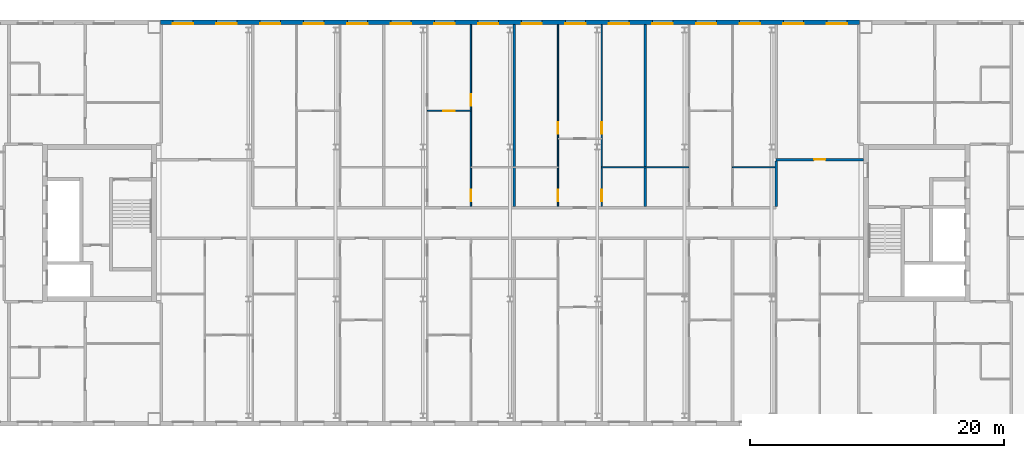
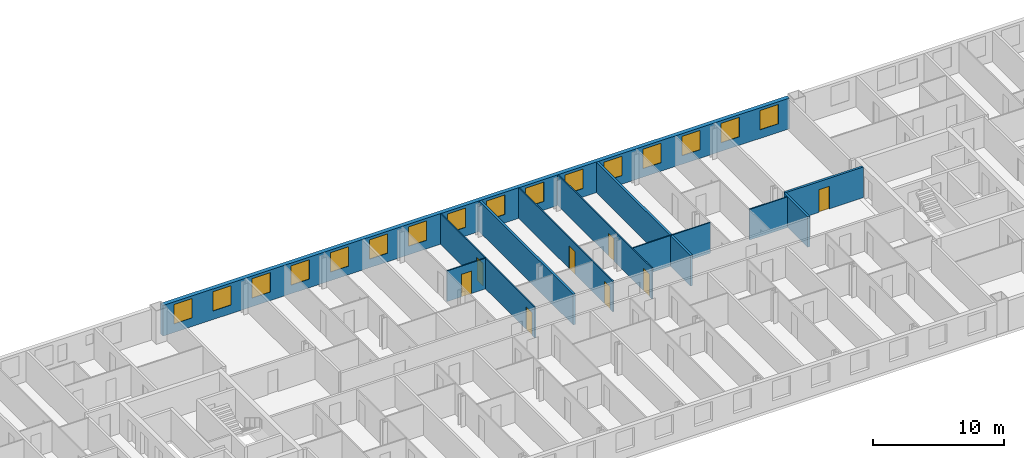
# One storey, part 12 of 19: 16 windows, 11 walls, 8 doors, 24 openings.
"""IFC4 building model written with IfcOpenShell, lengths in metres."""

import ifcopenshell
import ifcopenshell.guid

model = None  # the IFC model being written
_history = None  # IfcOwnerHistory: only IFC2X3 demands one
_inside = {}  # id of a spatial element -> (the spatial element, [elements in it])
_under = {}  # id of a project, library or spatial element -> (it, [spatial elements below it])
_declared = {}  # id of a project -> (the project, [libraries it declares])
_typed = {}  # id of a type object -> (the type object, [elements of that type])
_made_of = {}  # id of a material, layer set ... -> (it, [elements and type objects made of it])


def new_model(schema):
    """Start an empty IFC model of exactly this schema.

    Asked for "IFC4X3", IfcOpenShell would pick the latest addendum, in which some entities
    have other attributes; the version numbers below select the first issue.
    IFC2X3 requires an IfcOwnerHistory on every rooted entity: one is made here for all.
    """
    global model, _history
    if schema == "IFC4X3":
        model = ifcopenshell.file(schema_version=(4, 3, 0, 0))
    else:
        model = ifcopenshell.file(schema=schema)
    _inside.clear()
    _under.clear()
    _declared.clear()
    _typed.clear()
    _made_of.clear()
    _history = None
    if model.schema == "IFC2X3":
        org = make("IfcOrganization", Name="unknown")
        user = make(
            "IfcPersonAndOrganization",
            ThePerson=make("IfcPerson", FamilyName="unknown"),
            TheOrganization=org,
        )
        app = make(
            "IfcApplication",
            ApplicationDeveloper=org,
            Version="unknown",
            ApplicationFullName="unknown",
            ApplicationIdentifier="unknown",
        )
        _history = make(
            "IfcOwnerHistory",
            OwningUser=user,
            OwningApplication=app,
            ChangeAction="ADDED",
            CreationDate=0,
        )
    return model


def make(cls, **values):
    """One entity of the class cls with the attributes given. An attribute that is None is left unset."""
    return model.create_entity(
        cls, **{name: value for name, value in values.items() if value is not None}
    )


def rooted(cls, **values):
    """An entity with a GlobalId (a new one), such as an element, a storey or a relation."""
    return make(cls, GlobalId=ifcopenshell.guid.new(), OwnerHistory=_history, **values)


def si_unit(unit_type, name, prefix=None):
    """IfcSIUnit, for example si_unit("LENGTHUNIT", "METRE", prefix="MILLI")."""
    return make("IfcSIUnit", UnitType=unit_type, Prefix=prefix, Name=name)


def assignment(units):
    """IfcUnitAssignment: the units of a project."""
    return None if units is None else make("IfcUnitAssignment", Units=units)


def point(xyz):
    """IfcCartesianPoint."""
    return None if xyz is None else make("IfcCartesianPoint", Coordinates=xyz)


def direction(xyz):
    """IfcDirection."""
    return None if xyz is None else make("IfcDirection", DirectionRatios=xyz)


def frame(location, z_axis=None, x_axis=None):
    """IfcAxis2Placement3D, a coordinate frame: its origin and axes. An axis left out is left unset."""
    return make(
        "IfcAxis2Placement3D",
        Location=point(location),
        Axis=direction(z_axis),
        RefDirection=direction(x_axis),
    )


def frame_2d(location, x_axis=None):
    """IfcAxis2Placement2D, a coordinate frame in the plane: its origin and x axis."""
    return make(
        "IfcAxis2Placement2D", Location=point(location), RefDirection=direction(x_axis)
    )


def origin():
    """The frame at (0, 0, 0) with its axes left unset."""
    return frame((0.0, 0.0, 0.0))


def place(relative_to, where):
    """IfcLocalPlacement: puts the frame where relative to a parent placement (None: the world)."""
    return make(
        "IfcLocalPlacement", PlacementRelTo=relative_to, RelativePlacement=where
    )


def context(
    kind, dimensions, precision=None, world=None, true_north=None, identifier=None
):
    """IfcGeometricRepresentationContext, for example the 3D "Model" context."""
    return make(
        "IfcGeometricRepresentationContext",
        ContextIdentifier=identifier,
        ContextType=kind,
        CoordinateSpaceDimension=dimensions,
        Precision=precision,
        WorldCoordinateSystem=world,
        TrueNorth=true_north,
    )


def subcontext(parent, identifier, kind, view, scale=None):
    """IfcGeometricRepresentationSubContext, for example "Body" below "Model"."""
    return make(
        "IfcGeometricRepresentationSubContext",
        ContextIdentifier=identifier,
        ContextType=kind,
        ParentContext=parent,
        TargetScale=scale,
        TargetView=view,
    )


def project(units=None, contexts=None):
    """IfcProject with its units and contexts."""
    return rooted(
        "IfcProject",
        Name="project",
        RepresentationContexts=contexts,
        UnitsInContext=assignment(units),
    )


def spatial(cls, under=None, at=None, **own):
    """A site, building, storey or space (cls), placed at a placement, below another one or the project."""
    s = rooted(cls, ObjectPlacement=at, **own)
    if under is not None:
        _under.setdefault(under.id(), (under, []))[1].append(s)
    return s


def profile(cls, at=None, kind="AREA", **sizes):
    """A parametric profile (cls). Its sizes go by their IFC names, for example OverallWidth=200.0."""
    return make(cls, ProfileType=kind, Position=at, **sizes)


def rectangle(**sizes):
    """IfcRectangleProfileDef."""
    return profile("IfcRectangleProfileDef", **sizes)


def extrude(swept, where, along, depth):
    """IfcExtrudedAreaSolid: the profile swept, set in the frame where, extruded along a direction by depth."""
    return make(
        "IfcExtrudedAreaSolid",
        SweptArea=swept,
        Position=where,
        ExtrudedDirection=direction(along),
        Depth=depth,
    )


def shape(context_of_items, identifier, shape_type, items):
    """IfcShapeRepresentation: the items that make up one representation, for example the "Body"."""
    return make(
        "IfcShapeRepresentation",
        ContextOfItems=context_of_items,
        RepresentationIdentifier=identifier,
        RepresentationType=shape_type,
        Items=items,
    )


def material(Name=None, Category=None):
    """IfcMaterial."""
    return make("IfcMaterial", Name=Name, Category=Category)


def layer(
    of_material, thickness, ventilated=None, Name=None, Category=None, Priority=None
):
    """IfcMaterialLayer: one layer of a wall or slab, of a material (None: an air gap)."""
    return make(
        "IfcMaterialLayer",
        Material=of_material,
        LayerThickness=thickness,
        IsVentilated=ventilated,
        Name=Name,
        Category=Category,
        Priority=Priority,
    )


def layer_set(layers, Name=None):
    """IfcMaterialLayerSet."""
    return make("IfcMaterialLayerSet", MaterialLayers=layers, LayerSetName=Name)


def made_of(thing, what):
    """Note that an element or type object is made of a material, layer set ...; save() writes the relation."""
    if what is not None:
        _made_of.setdefault(what.id(), (what, []))[1].append(thing)
    return thing


def type_object(cls, material=None, **own):
    """A type object (cls), such as IfcWallType, which elements share."""
    return made_of(rooted(cls, **own), material)


def element(
    cls,
    number,
    at=None,
    inside=None,
    cuts=None,
    type_object=None,
    material=None,
    context=None,
    identifier="Body",
    shape_type=None,
    held_by="IfcProductDefinitionShape",
    body=None,
    shapes=None,
    **own,
):
    """One element of the class cls, such as IfcWall. Its Tag is "e" and its number.

    at: its placement. inside: the storey or other place that contains it. cuts: it is an
    opening in that element (IfcRelVoidsElement). A single representation is given by context,
    identifier, shape_type and body (its items); several are given by shapes. held_by: the class
    of the entity that holds the representations. save() writes the other relations.
    """
    e = rooted(cls, Tag="e%d" % number, ObjectPlacement=at, **own)
    if body is not None:
        shapes = [shape(context, identifier, shape_type, body)]
    if shapes is not None:
        e.Representation = make(held_by, Representations=shapes)
    if inside is not None:
        _inside.setdefault(inside.id(), (inside, []))[1].append(e)
    if cuts is not None:
        rooted(
            "IfcRelVoidsElement", RelatingBuildingElement=cuts, RelatedOpeningElement=e
        )
    if type_object is not None:
        _typed.setdefault(type_object.id(), (type_object, []))[1].append(e)
    return made_of(e, material)


def fill(opening, filler):
    """IfcRelFillsElement: the door or window that sits in an opening."""
    return rooted(
        "IfcRelFillsElement",
        RelatingOpeningElement=opening,
        RelatedBuildingElement=filler,
    )


def aggregate(whole, parts):
    """IfcRelAggregates: a whole, such as a stair, and the parts it consists of."""
    return rooted("IfcRelAggregates", RelatingObject=whole, RelatedObjects=parts)


def save(model, path):
    """Write the relations noted so far, then the file.

    IfcRelAggregates (storeys below a building ...), IfcRelContainedInSpatialStructure (elements
    in a storey), IfcRelDefinesByType, IfcRelAssociatesMaterial and IfcRelDeclares: one each for
    every whole, place, type object, material and project.
    """
    for whole, parts in _under.values():
        aggregate(whole, parts)
    for where, things in _inside.values():
        rooted(
            "IfcRelContainedInSpatialStructure",
            RelatedElements=things,
            RelatingStructure=where,
        )
    for kind, things in _typed.values():
        rooted("IfcRelDefinesByType", RelatedObjects=things, RelatingType=kind)
    for what, things in _made_of.values():
        rooted("IfcRelAssociatesMaterial", RelatedObjects=things, RelatingMaterial=what)
    for by, libraries in _declared.values():
        rooted("IfcRelDeclares", RelatingContext=by, RelatedDefinitions=libraries)
    model.write(path)


model = new_model("IFC4")

# Units and contexts
model_context = context("Model", 3, precision=1e-05, world=origin(), true_north=direction((0.0, 1.0)))
body_context = subcontext(model_context, "Body", "Model", "MODEL_VIEW")
ifc_project = project(units=[si_unit("LENGTHUNIT", "METRE"), si_unit("AREAUNIT", "SQUARE_METRE"), si_unit("VOLUMEUNIT", "CUBIC_METRE"), si_unit("PLANEANGLEUNIT", "RADIAN"), si_unit("MASSUNIT", "GRAM", prefix="KILO")], contexts=[model_context])

# Site, building, storey
site_placement = place(None, origin())
site = spatial("IfcSite", under=ifc_project, at=site_placement, CompositionType="ELEMENT")
building_placement = place(site_placement, origin())
building = spatial("IfcBuilding", under=site, at=building_placement, Name="Tuart Gate Housing", CompositionType="ELEMENT")
storey_placement = place(building_placement, frame((0.0, 0.0, 212.10009765625)))
storey = spatial("IfcBuildingStorey", under=building, at=storey_placement, Name="L60", CompositionType="ELEMENT", Elevation=212.10009765625)

# Wall, openings, windows
ifc_material_1 = material(Name="Brick", Category="masonry")
ifc_layer_1 = layer(ifc_material_1, 0.360107421875)
ifc_layer_set_1 = layer_set([ifc_layer_1], Name="Brick pier and spandrel wall 360")
wall_type_1 = type_object("IfcWallType", Name="Brick pier and spandrel wall 360", PredefinedType="STANDARD", material=ifc_layer_set_1)
wall_1_placement = place(storey_placement, frame((131.050048828125, 85.820068359375, 0.0), z_axis=(0.0, 0.0, 1.0), x_axis=(-1.0, 0.0, 0.0)))
wall_1 = element("IfcWall", 1, at=wall_1_placement, inside=storey, type_object=wall_type_1, Name="External wall BLK-N L60", PredefinedType="STANDARD", context=body_context, shape_type="SweptSolid", body=[
    extrude(rectangle(XDim=55.10009765625, YDim=0.360107421875, at=frame_2d((27.550048828125, 0.0))), origin(), (0.0, 0.0, 1.0), 2.849853515625),
])
opening_1_placement = place(wall_1_placement, frame((0.96875, 0.0, 0.800048828125)))
opening_1 = element("IfcOpeningElement", 2, at=opening_1_placement, cuts=wall_1, Name="Opening W1", PredefinedType="OPENING", context=body_context, shape_type="SweptSolid", body=[
    extrude(rectangle(XDim=1.60009765625, YDim=1.800048828125, at=frame_2d((0.800048828125, 0.89990234375))), frame((0.0, 0.18994140625, 0.0), z_axis=(0.0, -1.0, 0.0), x_axis=(1.0, 0.0, 0.0)), (0.0, 0.0, 1.0), 0.380126953125),
])
opening_2_placement = place(wall_1_placement, frame((4.40625, 0.0, 0.800048828125)))
opening_2 = element("IfcOpeningElement", 3, at=opening_2_placement, cuts=wall_1, Name="Opening W1", PredefinedType="OPENING", context=body_context, shape_type="SweptSolid", body=[
    extrude(rectangle(XDim=1.60009765625, YDim=1.800048828125, at=frame_2d((0.800048828125, 0.89990234375))), frame((0.0, 0.18994140625, 0.0), z_axis=(0.0, -1.0, 0.0), x_axis=(1.0, 0.0, 0.0)), (0.0, 0.0, 1.0), 0.380126953125),
])
opening_3_placement = place(wall_1_placement, frame((7.84375, 0.0, 0.800048828125)))
opening_3 = element("IfcOpeningElement", 4, at=opening_3_placement, cuts=wall_1, Name="Opening W1", PredefinedType="OPENING", context=body_context, shape_type="SweptSolid", body=[
    extrude(rectangle(XDim=1.60009765625, YDim=1.800048828125, at=frame_2d((0.800048828125, 0.89990234375))), frame((0.0, 0.18994140625, 0.0), z_axis=(0.0, -1.0, 0.0), x_axis=(1.0, 0.0, 0.0)), (0.0, 0.0, 1.0), 0.380126953125),
])
opening_4_placement = place(wall_1_placement, frame((11.28125, 0.0, 0.800048828125)))
opening_4 = element("IfcOpeningElement", 5, at=opening_4_placement, cuts=wall_1, Name="Opening W1", PredefinedType="OPENING", context=body_context, shape_type="SweptSolid", body=[
    extrude(rectangle(XDim=1.60009765625, YDim=1.800048828125, at=frame_2d((0.800048828125, 0.89990234375))), frame((0.0, 0.18994140625, 0.0), z_axis=(0.0, -1.0, 0.0), x_axis=(1.0, 0.0, 0.0)), (0.0, 0.0, 1.0), 0.380126953125),
])
opening_5_placement = place(wall_1_placement, frame((14.71875, 0.0, 0.800048828125)))
opening_5 = element("IfcOpeningElement", 6, at=opening_5_placement, cuts=wall_1, Name="Opening W1", PredefinedType="OPENING", context=body_context, shape_type="SweptSolid", body=[
    extrude(rectangle(XDim=1.60009765625, YDim=1.800048828125, at=frame_2d((0.800048828125, 0.89990234375))), frame((0.0, 0.18994140625, 0.0), z_axis=(0.0, -1.0, 0.0), x_axis=(1.0, 0.0, 0.0)), (0.0, 0.0, 1.0), 0.380126953125),
])
opening_6_placement = place(wall_1_placement, frame((18.15625, 0.0, 0.800048828125)))
opening_6 = element("IfcOpeningElement", 7, at=opening_6_placement, cuts=wall_1, Name="Opening W1", PredefinedType="OPENING", context=body_context, shape_type="SweptSolid", body=[
    extrude(rectangle(XDim=1.60009765625, YDim=1.800048828125, at=frame_2d((0.800048828125, 0.89990234375))), frame((0.0, 0.18994140625, 0.0), z_axis=(0.0, -1.0, 0.0), x_axis=(1.0, 0.0, 0.0)), (0.0, 0.0, 1.0), 0.380126953125),
])
opening_7_placement = place(wall_1_placement, frame((21.59375, 0.0, 0.800048828125)))
opening_7 = element("IfcOpeningElement", 8, at=opening_7_placement, cuts=wall_1, Name="Opening W1", PredefinedType="OPENING", context=body_context, shape_type="SweptSolid", body=[
    extrude(rectangle(XDim=1.60009765625, YDim=1.800048828125, at=frame_2d((0.800048828125, 0.89990234375))), frame((0.0, 0.18994140625, 0.0), z_axis=(0.0, -1.0, 0.0), x_axis=(1.0, 0.0, 0.0)), (0.0, 0.0, 1.0), 0.380126953125),
])
opening_8_placement = place(wall_1_placement, frame((25.03125, 0.0, 0.800048828125)))
opening_8 = element("IfcOpeningElement", 9, at=opening_8_placement, cuts=wall_1, Name="Opening W1", PredefinedType="OPENING", context=body_context, shape_type="SweptSolid", body=[
    extrude(rectangle(XDim=1.60009765625, YDim=1.800048828125, at=frame_2d((0.800048828125, 0.89990234375))), frame((0.0, 0.18994140625, 0.0), z_axis=(0.0, -1.0, 0.0), x_axis=(1.0, 0.0, 0.0)), (0.0, 0.0, 1.0), 0.380126953125),
])
opening_9_placement = place(wall_1_placement, frame((28.46875, 0.0, 0.800048828125)))
opening_9 = element("IfcOpeningElement", 10, at=opening_9_placement, cuts=wall_1, Name="Opening W1", PredefinedType="OPENING", context=body_context, shape_type="SweptSolid", body=[
    extrude(rectangle(XDim=1.60009765625, YDim=1.800048828125, at=frame_2d((0.800048828125, 0.89990234375))), frame((0.0, 0.18994140625, 0.0), z_axis=(0.0, -1.0, 0.0), x_axis=(1.0, 0.0, 0.0)), (0.0, 0.0, 1.0), 0.380126953125),
])
opening_10_placement = place(wall_1_placement, frame((31.90625, 0.0, 0.800048828125)))
opening_10 = element("IfcOpeningElement", 11, at=opening_10_placement, cuts=wall_1, Name="Opening W1", PredefinedType="OPENING", context=body_context, shape_type="SweptSolid", body=[
    extrude(rectangle(XDim=1.60009765625, YDim=1.800048828125, at=frame_2d((0.800048828125, 0.89990234375))), frame((0.0, 0.18994140625, 0.0), z_axis=(0.0, -1.0, 0.0), x_axis=(1.0, 0.0, 0.0)), (0.0, 0.0, 1.0), 0.380126953125),
])
opening_11_placement = place(wall_1_placement, frame((35.34375, 0.0, 0.800048828125)))
opening_11 = element("IfcOpeningElement", 12, at=opening_11_placement, cuts=wall_1, Name="Opening W1", PredefinedType="OPENING", context=body_context, shape_type="SweptSolid", body=[
    extrude(rectangle(XDim=1.60009765625, YDim=1.800048828125, at=frame_2d((0.800048828125, 0.89990234375))), frame((0.0, 0.18994140625, 0.0), z_axis=(0.0, -1.0, 0.0), x_axis=(1.0, 0.0, 0.0)), (0.0, 0.0, 1.0), 0.380126953125),
])
opening_12_placement = place(wall_1_placement, frame((38.78125, 0.0, 0.800048828125)))
opening_12 = element("IfcOpeningElement", 13, at=opening_12_placement, cuts=wall_1, Name="Opening W1", PredefinedType="OPENING", context=body_context, shape_type="SweptSolid", body=[
    extrude(rectangle(XDim=1.60009765625, YDim=1.800048828125, at=frame_2d((0.800048828125, 0.89990234375))), frame((0.0, 0.18994140625, 0.0), z_axis=(0.0, -1.0, 0.0), x_axis=(1.0, 0.0, 0.0)), (0.0, 0.0, 1.0), 0.380126953125),
])
opening_13_placement = place(wall_1_placement, frame((42.21875, 0.0, 0.800048828125)))
opening_13 = element("IfcOpeningElement", 14, at=opening_13_placement, cuts=wall_1, Name="Opening W1", PredefinedType="OPENING", context=body_context, shape_type="SweptSolid", body=[
    extrude(rectangle(XDim=1.60009765625, YDim=1.800048828125, at=frame_2d((0.800048828125, 0.89990234375))), frame((0.0, 0.18994140625, 0.0), z_axis=(0.0, -1.0, 0.0), x_axis=(1.0, 0.0, 0.0)), (0.0, 0.0, 1.0), 0.380126953125),
])
opening_14_placement = place(wall_1_placement, frame((45.65625, 0.0, 0.800048828125)))
opening_14 = element("IfcOpeningElement", 15, at=opening_14_placement, cuts=wall_1, Name="Opening W1", PredefinedType="OPENING", context=body_context, shape_type="SweptSolid", body=[
    extrude(rectangle(XDim=1.60009765625, YDim=1.800048828125, at=frame_2d((0.800048828125, 0.89990234375))), frame((0.0, 0.18994140625, 0.0), z_axis=(0.0, -1.0, 0.0), x_axis=(1.0, 0.0, 0.0)), (0.0, 0.0, 1.0), 0.380126953125),
])
opening_15_placement = place(wall_1_placement, frame((49.09375, 0.0, 0.800048828125)))
opening_15 = element("IfcOpeningElement", 16, at=opening_15_placement, cuts=wall_1, Name="Opening W1", PredefinedType="OPENING", context=body_context, shape_type="SweptSolid", body=[
    extrude(rectangle(XDim=1.60009765625, YDim=1.800048828125, at=frame_2d((0.800048828125, 0.89990234375))), frame((0.0, 0.18994140625, 0.0), z_axis=(0.0, -1.0, 0.0), x_axis=(1.0, 0.0, 0.0)), (0.0, 0.0, 1.0), 0.380126953125),
])
opening_16_placement = place(wall_1_placement, frame((52.53125, 0.0, 0.800048828125)))
opening_16 = element("IfcOpeningElement", 17, at=opening_16_placement, cuts=wall_1, Name="Opening W1", PredefinedType="OPENING", context=body_context, shape_type="SweptSolid", body=[
    extrude(rectangle(XDim=1.60009765625, YDim=1.800048828125, at=frame_2d((0.800048828125, 0.89990234375))), frame((0.0, 0.18994140625, 0.0), z_axis=(0.0, -1.0, 0.0), x_axis=(1.0, 0.0, 0.0)), (0.0, 0.0, 1.0), 0.380126953125),
])
ifc_material_2 = material(Name="Aluminium frame with clear glass", Category="aluminium")
window_type = type_object("IfcWindowType", Name="Punched window 1600 x 1800", PartitioningType="SINGLE_PANEL", PredefinedType="WINDOW", material=ifc_material_2)
window_1_placement = place(opening_1_placement, origin())
window_1 = element("IfcWindow", 18, at=window_1_placement, inside=storey, type_object=window_type, Name="Window W1", OverallHeight=1.800048828125, OverallWidth=1.60009765625, PartitioningType="SINGLE_PANEL", PredefinedType="WINDOW", context=body_context, shape_type="SweptSolid", body=[
    extrude(rectangle(XDim=1.60009765625, YDim=1.800048828125, at=frame_2d((0.800048828125, 0.89990234375))), frame((0.0, 0.150146484375, 0.0), z_axis=(0.0, -1.0, 0.0), x_axis=(1.0, 0.0, 0.0)), (0.0, 0.0, 1.0), 0.06005859375),
])
fill(opening_1, window_1)
window_2_placement = place(opening_2_placement, origin())
window_2 = element("IfcWindow", 19, at=window_2_placement, inside=storey, type_object=window_type, Name="Window W1", OverallHeight=1.800048828125, OverallWidth=1.60009765625, PartitioningType="SINGLE_PANEL", PredefinedType="WINDOW", context=body_context, shape_type="SweptSolid", body=[
    extrude(rectangle(XDim=1.60009765625, YDim=1.800048828125, at=frame_2d((0.800048828125, 0.89990234375))), frame((0.0, 0.150146484375, 0.0), z_axis=(0.0, -1.0, 0.0), x_axis=(1.0, 0.0, 0.0)), (0.0, 0.0, 1.0), 0.06005859375),
])
fill(opening_2, window_2)
window_3_placement = place(opening_3_placement, origin())
window_3 = element("IfcWindow", 20, at=window_3_placement, inside=storey, type_object=window_type, Name="Window W1", OverallHeight=1.800048828125, OverallWidth=1.60009765625, PartitioningType="SINGLE_PANEL", PredefinedType="WINDOW", context=body_context, shape_type="SweptSolid", body=[
    extrude(rectangle(XDim=1.60009765625, YDim=1.800048828125, at=frame_2d((0.800048828125, 0.89990234375))), frame((0.0, 0.150146484375, 0.0), z_axis=(0.0, -1.0, 0.0), x_axis=(1.0, 0.0, 0.0)), (0.0, 0.0, 1.0), 0.06005859375),
])
fill(opening_3, window_3)
window_4_placement = place(opening_4_placement, origin())
window_4 = element("IfcWindow", 21, at=window_4_placement, inside=storey, type_object=window_type, Name="Window W1", OverallHeight=1.800048828125, OverallWidth=1.60009765625, PartitioningType="SINGLE_PANEL", PredefinedType="WINDOW", context=body_context, shape_type="SweptSolid", body=[
    extrude(rectangle(XDim=1.60009765625, YDim=1.800048828125, at=frame_2d((0.800048828125, 0.89990234375))), frame((0.0, 0.150146484375, 0.0), z_axis=(0.0, -1.0, 0.0), x_axis=(1.0, 0.0, 0.0)), (0.0, 0.0, 1.0), 0.06005859375),
])
fill(opening_4, window_4)
window_5_placement = place(opening_5_placement, origin())
window_5 = element("IfcWindow", 22, at=window_5_placement, inside=storey, type_object=window_type, Name="Window W1", OverallHeight=1.800048828125, OverallWidth=1.60009765625, PartitioningType="SINGLE_PANEL", PredefinedType="WINDOW", context=body_context, shape_type="SweptSolid", body=[
    extrude(rectangle(XDim=1.60009765625, YDim=1.800048828125, at=frame_2d((0.800048828125, 0.89990234375))), frame((0.0, 0.150146484375, 0.0), z_axis=(0.0, -1.0, 0.0), x_axis=(1.0, 0.0, 0.0)), (0.0, 0.0, 1.0), 0.06005859375),
])
fill(opening_5, window_5)
window_6_placement = place(opening_6_placement, origin())
window_6 = element("IfcWindow", 23, at=window_6_placement, inside=storey, type_object=window_type, Name="Window W1", OverallHeight=1.800048828125, OverallWidth=1.60009765625, PartitioningType="SINGLE_PANEL", PredefinedType="WINDOW", context=body_context, shape_type="SweptSolid", body=[
    extrude(rectangle(XDim=1.60009765625, YDim=1.800048828125, at=frame_2d((0.800048828125, 0.89990234375))), frame((0.0, 0.150146484375, 0.0), z_axis=(0.0, -1.0, 0.0), x_axis=(1.0, 0.0, 0.0)), (0.0, 0.0, 1.0), 0.06005859375),
])
fill(opening_6, window_6)
window_7_placement = place(opening_7_placement, origin())
window_7 = element("IfcWindow", 24, at=window_7_placement, inside=storey, type_object=window_type, Name="Window W1", OverallHeight=1.800048828125, OverallWidth=1.60009765625, PartitioningType="SINGLE_PANEL", PredefinedType="WINDOW", context=body_context, shape_type="SweptSolid", body=[
    extrude(rectangle(XDim=1.60009765625, YDim=1.800048828125, at=frame_2d((0.800048828125, 0.89990234375))), frame((0.0, 0.150146484375, 0.0), z_axis=(0.0, -1.0, 0.0), x_axis=(1.0, 0.0, 0.0)), (0.0, 0.0, 1.0), 0.06005859375),
])
fill(opening_7, window_7)
window_8_placement = place(opening_8_placement, origin())
window_8 = element("IfcWindow", 25, at=window_8_placement, inside=storey, type_object=window_type, Name="Window W1", OverallHeight=1.800048828125, OverallWidth=1.60009765625, PartitioningType="SINGLE_PANEL", PredefinedType="WINDOW", context=body_context, shape_type="SweptSolid", body=[
    extrude(rectangle(XDim=1.60009765625, YDim=1.800048828125, at=frame_2d((0.800048828125, 0.89990234375))), frame((0.0, 0.150146484375, 0.0), z_axis=(0.0, -1.0, 0.0), x_axis=(1.0, 0.0, 0.0)), (0.0, 0.0, 1.0), 0.06005859375),
])
fill(opening_8, window_8)
window_9_placement = place(opening_9_placement, origin())
window_9 = element("IfcWindow", 26, at=window_9_placement, inside=storey, type_object=window_type, Name="Window W1", OverallHeight=1.800048828125, OverallWidth=1.60009765625, PartitioningType="SINGLE_PANEL", PredefinedType="WINDOW", context=body_context, shape_type="SweptSolid", body=[
    extrude(rectangle(XDim=1.60009765625, YDim=1.800048828125, at=frame_2d((0.800048828125, 0.89990234375))), frame((0.0, 0.150146484375, 0.0), z_axis=(0.0, -1.0, 0.0), x_axis=(1.0, 0.0, 0.0)), (0.0, 0.0, 1.0), 0.06005859375),
])
fill(opening_9, window_9)
window_10_placement = place(opening_10_placement, origin())
window_10 = element("IfcWindow", 27, at=window_10_placement, inside=storey, type_object=window_type, Name="Window W1", OverallHeight=1.800048828125, OverallWidth=1.60009765625, PartitioningType="SINGLE_PANEL", PredefinedType="WINDOW", context=body_context, shape_type="SweptSolid", body=[
    extrude(rectangle(XDim=1.60009765625, YDim=1.800048828125, at=frame_2d((0.800048828125, 0.89990234375))), frame((0.0, 0.150146484375, 0.0), z_axis=(0.0, -1.0, 0.0), x_axis=(1.0, 0.0, 0.0)), (0.0, 0.0, 1.0), 0.06005859375),
])
fill(opening_10, window_10)
window_11_placement = place(opening_11_placement, origin())
window_11 = element("IfcWindow", 28, at=window_11_placement, inside=storey, type_object=window_type, Name="Window W1", OverallHeight=1.800048828125, OverallWidth=1.60009765625, PartitioningType="SINGLE_PANEL", PredefinedType="WINDOW", context=body_context, shape_type="SweptSolid", body=[
    extrude(rectangle(XDim=1.60009765625, YDim=1.800048828125, at=frame_2d((0.800048828125, 0.89990234375))), frame((0.0, 0.150146484375, 0.0), z_axis=(0.0, -1.0, 0.0), x_axis=(1.0, 0.0, 0.0)), (0.0, 0.0, 1.0), 0.06005859375),
])
fill(opening_11, window_11)
window_12_placement = place(opening_12_placement, origin())
window_12 = element("IfcWindow", 29, at=window_12_placement, inside=storey, type_object=window_type, Name="Window W1", OverallHeight=1.800048828125, OverallWidth=1.60009765625, PartitioningType="SINGLE_PANEL", PredefinedType="WINDOW", context=body_context, shape_type="SweptSolid", body=[
    extrude(rectangle(XDim=1.60009765625, YDim=1.800048828125, at=frame_2d((0.800048828125, 0.89990234375))), frame((0.0, 0.150146484375, 0.0), z_axis=(0.0, -1.0, 0.0), x_axis=(1.0, 0.0, 0.0)), (0.0, 0.0, 1.0), 0.06005859375),
])
fill(opening_12, window_12)
window_13_placement = place(opening_13_placement, origin())
window_13 = element("IfcWindow", 30, at=window_13_placement, inside=storey, type_object=window_type, Name="Window W1", OverallHeight=1.800048828125, OverallWidth=1.60009765625, PartitioningType="SINGLE_PANEL", PredefinedType="WINDOW", context=body_context, shape_type="SweptSolid", body=[
    extrude(rectangle(XDim=1.60009765625, YDim=1.800048828125, at=frame_2d((0.800048828125, 0.89990234375))), frame((0.0, 0.150146484375, 0.0), z_axis=(0.0, -1.0, 0.0), x_axis=(1.0, 0.0, 0.0)), (0.0, 0.0, 1.0), 0.06005859375),
])
fill(opening_13, window_13)
window_14_placement = place(opening_14_placement, origin())
window_14 = element("IfcWindow", 31, at=window_14_placement, inside=storey, type_object=window_type, Name="Window W1", OverallHeight=1.800048828125, OverallWidth=1.60009765625, PartitioningType="SINGLE_PANEL", PredefinedType="WINDOW", context=body_context, shape_type="SweptSolid", body=[
    extrude(rectangle(XDim=1.60009765625, YDim=1.800048828125, at=frame_2d((0.800048828125, 0.89990234375))), frame((0.0, 0.150146484375, 0.0), z_axis=(0.0, -1.0, 0.0), x_axis=(1.0, 0.0, 0.0)), (0.0, 0.0, 1.0), 0.06005859375),
])
fill(opening_14, window_14)
window_15_placement = place(opening_15_placement, origin())
window_15 = element("IfcWindow", 32, at=window_15_placement, inside=storey, type_object=window_type, Name="Window W1", OverallHeight=1.800048828125, OverallWidth=1.60009765625, PartitioningType="SINGLE_PANEL", PredefinedType="WINDOW", context=body_context, shape_type="SweptSolid", body=[
    extrude(rectangle(XDim=1.60009765625, YDim=1.800048828125, at=frame_2d((0.800048828125, 0.89990234375))), frame((0.0, 0.150146484375, 0.0), z_axis=(0.0, -1.0, 0.0), x_axis=(1.0, 0.0, 0.0)), (0.0, 0.0, 1.0), 0.06005859375),
])
fill(opening_15, window_15)
window_16_placement = place(opening_16_placement, origin())
window_16 = element("IfcWindow", 33, at=window_16_placement, inside=storey, type_object=window_type, Name="Window W1", OverallHeight=1.800048828125, OverallWidth=1.60009765625, PartitioningType="SINGLE_PANEL", PredefinedType="WINDOW", context=body_context, shape_type="SweptSolid", body=[
    extrude(rectangle(XDim=1.60009765625, YDim=1.800048828125, at=frame_2d((0.800048828125, 0.89990234375))), frame((0.0, 0.150146484375, 0.0), z_axis=(0.0, -1.0, 0.0), x_axis=(1.0, 0.0, 0.0)), (0.0, 0.0, 1.0), 0.06005859375),
])
fill(opening_16, window_16)

# Wall, opening, door
ifc_material_3 = material(Name="Concrete masonry 15 MPa", Category="masonry")
ifc_layer_2 = layer(ifc_material_3, 0.199951171875)
ifc_layer_set_2 = layer_set([ifc_layer_2], Name="Corridor wall masonry 200")
wall_type_2 = type_object("IfcWallType", Name="Corridor wall masonry 200", PredefinedType="PARTITIONING", material=ifc_layer_set_2)
wall_2_placement = place(storey_placement, frame((124.47509765625, 75.0, 0.0), z_axis=(0.0, 0.0, 1.0), x_axis=(1.0, 0.0, 0.0)))
wall_2 = element("IfcWall", 34, at=wall_2_placement, inside=storey, type_object=wall_type_2, Name="Corridor wall masonry 200", PredefinedType="PARTITIONING", context=body_context, shape_type="SweptSolid", body=[
    extrude(rectangle(XDim=6.885009765625, YDim=0.199951171875, at=frame_2d((3.4423828125, 0.0))), origin(), (0.0, 0.0, 1.0), 2.849853515625),
])
opening_17_placement = place(wall_2_placement, frame((2.992431640625, 0.0, 0.0)))
opening_17 = element("IfcOpeningElement", 35, at=opening_17_placement, cuts=wall_2, Name="Opening D2187", PredefinedType="OPENING", context=body_context, shape_type="SweptSolid", body=[
    extrude(rectangle(XDim=0.89990234375, YDim=2.10009765625, at=frame_2d((0.449951171875, 1.050048828125))), frame((0.0, 0.10986328125, 0.0), z_axis=(0.0, -1.0, 0.0), x_axis=(1.0, 0.0, 0.0)), (0.0, 0.0, 1.0), 0.219970703125),
])
ifc_material_4 = material(Name="Timber door leaf in steel frame", Category="steel")
door_type_1 = type_object("IfcDoorType", Name="Internal door 900", OperationType="SINGLE_SWING_LEFT", PredefinedType="DOOR", material=ifc_material_4)
door_1_placement = place(opening_17_placement, origin())
door_1 = element("IfcDoor", 36, at=door_1_placement, inside=storey, type_object=door_type_1, Name="Internal door", OperationType="SINGLE_SWING_LEFT", OverallHeight=2.10009765625, OverallWidth=0.89990234375, PredefinedType="DOOR", context=body_context, shape_type="SweptSolid", body=[
    extrude(rectangle(XDim=0.89990234375, YDim=2.10009765625, at=frame_2d((0.449951171875, 1.050048828125))), frame((0.0, 0.02490234375, 0.0), z_axis=(0.0, -1.0, 0.0), x_axis=(1.0, 0.0, 0.0)), (0.0, 0.0, 1.0), 0.050048828125),
])
fill(opening_17, door_1)

# Walls
wall_3_placement = place(storey_placement, frame((124.47509765625, 71.300048828125, 0.0), z_axis=(0.0, 0.0, 1.0), x_axis=(0.0, 1.0, 0.0)))
element("IfcWall", 37, at=wall_3_placement, inside=storey, type_object=wall_type_2, Name="Corridor wall masonry 200", PredefinedType="PARTITIONING", context=body_context, shape_type="SweptSolid", body=[
    extrude(rectangle(XDim=3.599853515625, YDim=0.199951171875, at=frame_2d((1.7998046875, 0.0))), origin(), (0.0, 0.0, 1.0), 2.849853515625),
])
ifc_material_5 = material(Name="Gypsum board on steel studs", Category="steel")
ifc_layer_3 = layer(ifc_material_5, 0.10009765625)
ifc_layer_set_3 = layer_set([ifc_layer_3], Name="Partition 100")
wall_type_3 = type_object("IfcWallType", Name="Partition 100", PredefinedType="PARTITIONING", material=ifc_layer_set_3)
wall_4_placement = place(storey_placement, frame((110.72509765625, 74.39990234375, 0.0), z_axis=(0.0, 0.0, 1.0), x_axis=(1.0, 0.0, 0.0)))
element("IfcWall", 38, at=wall_4_placement, inside=storey, type_object=wall_type_3, Name="Partition 100", PredefinedType="PARTITIONING", context=body_context, shape_type="SweptSolid", body=[
    extrude(rectangle(XDim=6.875, YDim=0.10009765625, at=frame_2d((3.4375, 0.0))), origin(), (0.0, 0.0, 1.0), 2.849853515625),
])
wall_5_placement = place(storey_placement, frame((121.037109375, 74.39990234375, 0.0), z_axis=(0.0, 0.0, 1.0), x_axis=(1.0, 0.0, 0.0)))
element("IfcWall", 39, at=wall_5_placement, inside=storey, type_object=wall_type_3, Name="Partition 100", PredefinedType="PARTITIONING", context=body_context, shape_type="SweptSolid", body=[
    extrude(rectangle(XDim=3.337890625, YDim=0.10009765625, at=frame_2d((1.6689453125, 0.0))), origin(), (0.0, 0.0, 1.0), 2.849853515625),
])

# Wall, opening, door
wall_6_placement = place(storey_placement, frame((96.97509765625, 78.840087890625, 0.0), z_axis=(0.0, 0.0, 1.0), x_axis=(1.0, 0.0, 0.0)))
wall_6 = element("IfcWall", 40, at=wall_6_placement, inside=storey, type_object=wall_type_3, Name="Partition 100", PredefinedType="PARTITIONING", context=body_context, shape_type="SweptSolid", body=[
    extrude(rectangle(XDim=3.43701171875, YDim=0.10009765625, at=frame_2d((1.718505859375, 0.0))), origin(), (0.0, 0.0, 1.0), 2.849853515625),
])
opening_18_placement = place(wall_6_placement, frame((1.2685546875, 0.0, 0.0)))
opening_18 = element("IfcOpeningElement", 41, at=opening_18_placement, cuts=wall_6, Name="Opening D2167", PredefinedType="OPENING", context=body_context, shape_type="SweptSolid", body=[
    extrude(rectangle(XDim=0.89990234375, YDim=2.10009765625, at=frame_2d((0.449951171875, 1.050048828125))), frame((0.0, 0.06005859375, 0.0), z_axis=(0.0, -1.0, 0.0), x_axis=(1.0, 0.0, 0.0)), (0.0, 0.0, 1.0), 0.1201171875),
])
ifc_material_6 = material(Name="Timber door leaf in steel frame", Category="steel")
door_type_2 = type_object("IfcDoorType", Name="Internal door 900 RH", OperationType="SINGLE_SWING_RIGHT", PredefinedType="DOOR", material=ifc_material_6)
door_2_placement = place(opening_18_placement, frame((0.89990234375, 0.0, 0.0), z_axis=(0.0, 0.0, 1.0), x_axis=(-1.0, 0.0, 0.0)))
door_2 = element("IfcDoor", 42, at=door_2_placement, inside=storey, type_object=door_type_2, Name="Internal door", OperationType="SINGLE_SWING_RIGHT", OverallHeight=2.10009765625, OverallWidth=0.89990234375, PredefinedType="DOOR", context=body_context, shape_type="SweptSolid", body=[
    extrude(rectangle(XDim=0.89990234375, YDim=2.10009765625, at=frame_2d((0.449951171875, 1.050048828125))), frame((0.0, 0.025146484375, 0.0), z_axis=(0.0, -1.0, 0.0), x_axis=(1.0, 0.0, 0.0)), (0.0, 0.0, 1.0), 0.050048828125),
])
fill(opening_18, door_2)

# Wall, openings, doors
wall_7_placement = place(storey_placement, frame((100.412109375, 71.300048828125, 0.0), z_axis=(0.0, 0.0, 1.0), x_axis=(0.0, 1.0, 0.0)))
wall_7 = element("IfcWall", 43, at=wall_7_placement, inside=storey, type_object=wall_type_3, Name="Partition 100", PredefinedType="PARTITIONING", context=body_context, shape_type="SweptSolid", body=[
    extrude(rectangle(XDim=14.33984375, YDim=0.10009765625, at=frame_2d((7.169921875, 0.0))), origin(), (0.0, 0.0, 1.0), 2.849853515625),
])
opening_19_placement = place(wall_7_placement, frame((7.93994140625, 0.0, 0.0)))
opening_19 = element("IfcOpeningElement", 44, at=opening_19_placement, cuts=wall_7, Name="Opening D2176", PredefinedType="OPENING", context=body_context, shape_type="SweptSolid", body=[
    extrude(rectangle(XDim=0.89990234375, YDim=2.10009765625, at=frame_2d((0.449951171875, 1.050048828125))), frame((0.0, 0.06005859375, 0.0), z_axis=(0.0, -1.0, 0.0), x_axis=(1.0, 0.0, 0.0)), (0.0, 0.0, 1.0), 0.1201171875),
])
opening_20_placement = place(wall_7_placement, frame((0.39990234375, 0.0, 0.0)))
opening_20 = element("IfcOpeningElement", 45, at=opening_20_placement, cuts=wall_7, Name="Opening D2175", PredefinedType="OPENING", context=body_context, shape_type="SweptSolid", body=[
    extrude(rectangle(XDim=0.89990234375, YDim=2.10009765625, at=frame_2d((0.449951171875, 1.050048828125))), frame((0.0, 0.06005859375, 0.0), z_axis=(0.0, -1.0, 0.0), x_axis=(1.0, 0.0, 0.0)), (0.0, 0.0, 1.0), 0.1201171875),
])
ifc_material_7 = material(Name="Timber door leaf in steel frame", Category="steel")
door_type_3 = type_object("IfcDoorType", Name="Bathroom door 900 RH", OperationType="SINGLE_SWING_RIGHT", PredefinedType="DOOR", material=ifc_material_7)
door_3_placement = place(opening_20_placement, frame((0.89990234375, 0.0, 0.0), z_axis=(0.0, 0.0, 1.0), x_axis=(-1.0, 0.0, 0.0)))
door_3 = element("IfcDoor", 46, at=door_3_placement, inside=storey, type_object=door_type_3, Name="Bathroom door", OperationType="SINGLE_SWING_RIGHT", OverallHeight=2.10009765625, OverallWidth=0.89990234375, PredefinedType="DOOR", context=body_context, shape_type="SweptSolid", body=[
    extrude(rectangle(XDim=0.89990234375, YDim=2.10009765625, at=frame_2d((0.449951171875, 1.050048828125))), frame((0.0, 0.025146484375, 0.0), z_axis=(0.0, -1.0, 0.0), x_axis=(1.0, 0.0, 0.0)), (0.0, 0.0, 1.0), 0.050048828125),
])
fill(opening_20, door_3)
door_4_placement = place(opening_19_placement, frame((0.89990234375, 0.0, 0.0), z_axis=(0.0, 0.0, 1.0), x_axis=(-1.0, 0.0, 0.0)))
door_4 = element("IfcDoor", 47, at=door_4_placement, inside=storey, type_object=door_type_2, Name="Internal door", OperationType="SINGLE_SWING_RIGHT", OverallHeight=2.10009765625, OverallWidth=0.89990234375, PredefinedType="DOOR", context=body_context, shape_type="SweptSolid", body=[
    extrude(rectangle(XDim=0.89990234375, YDim=2.10009765625, at=frame_2d((0.449951171875, 1.050048828125))), frame((0.0, 0.025146484375, 0.0), z_axis=(0.0, -1.0, 0.0), x_axis=(1.0, 0.0, 0.0)), (0.0, 0.0, 1.0), 0.050048828125),
])
fill(opening_19, door_4)

wall_8_placement = place(storey_placement, frame((107.287109375, 71.300048828125, 0.0), z_axis=(0.0, 0.0, 1.0), x_axis=(0.0, 1.0, 0.0)))
wall_8 = element("IfcWall", 48, at=wall_8_placement, inside=storey, type_object=wall_type_3, Name="Partition 100", PredefinedType="PARTITIONING", context=body_context, shape_type="SweptSolid", body=[
    extrude(rectangle(XDim=14.33984375, YDim=0.10009765625, at=frame_2d((7.169921875, 0.0))), origin(), (0.0, 0.0, 1.0), 2.849853515625),
])
opening_21_placement = place(wall_8_placement, frame((5.739990234375, 0.0, 0.0)))
opening_21 = element("IfcOpeningElement", 49, at=opening_21_placement, cuts=wall_8, Name="Opening D2178", PredefinedType="OPENING", context=body_context, shape_type="SweptSolid", body=[
    extrude(rectangle(XDim=0.89990234375, YDim=2.10009765625, at=frame_2d((0.449951171875, 1.050048828125))), frame((0.0, 0.06005859375, 0.0), z_axis=(0.0, -1.0, 0.0), x_axis=(1.0, 0.0, 0.0)), (0.0, 0.0, 1.0), 0.1201171875),
])
opening_22_placement = place(wall_8_placement, frame((0.39990234375, 0.0, 0.0)))
opening_22 = element("IfcOpeningElement", 50, at=opening_22_placement, cuts=wall_8, Name="Opening D2177", PredefinedType="OPENING", context=body_context, shape_type="SweptSolid", body=[
    extrude(rectangle(XDim=0.89990234375, YDim=2.10009765625, at=frame_2d((0.449951171875, 1.050048828125))), frame((0.0, 0.06005859375, 0.0), z_axis=(0.0, -1.0, 0.0), x_axis=(1.0, 0.0, 0.0)), (0.0, 0.0, 1.0), 0.1201171875),
])
ifc_material_8 = material(Name="Timber door leaf in steel frame", Category="steel")
door_type_4 = type_object("IfcDoorType", Name="Bathroom door 900", OperationType="SINGLE_SWING_LEFT", PredefinedType="DOOR", material=ifc_material_8)
door_5_placement = place(opening_22_placement, origin())
door_5 = element("IfcDoor", 51, at=door_5_placement, inside=storey, type_object=door_type_4, Name="Bathroom door", OperationType="SINGLE_SWING_LEFT", OverallHeight=2.10009765625, OverallWidth=0.89990234375, PredefinedType="DOOR", context=body_context, shape_type="SweptSolid", body=[
    extrude(rectangle(XDim=0.89990234375, YDim=2.10009765625, at=frame_2d((0.449951171875, 1.050048828125))), frame((0.0, 0.02490234375, 0.0), z_axis=(0.0, -1.0, 0.0), x_axis=(1.0, 0.0, 0.0)), (0.0, 0.0, 1.0), 0.050048828125),
])
fill(opening_22, door_5)
door_6_placement = place(opening_21_placement, origin())
door_6 = element("IfcDoor", 52, at=door_6_placement, inside=storey, type_object=door_type_1, Name="Internal door", OperationType="SINGLE_SWING_LEFT", OverallHeight=2.10009765625, OverallWidth=0.89990234375, PredefinedType="DOOR", context=body_context, shape_type="SweptSolid", body=[
    extrude(rectangle(XDim=0.89990234375, YDim=2.10009765625, at=frame_2d((0.449951171875, 1.050048828125))), frame((0.0, 0.02490234375, 0.0), z_axis=(0.0, -1.0, 0.0), x_axis=(1.0, 0.0, 0.0)), (0.0, 0.0, 1.0), 0.050048828125),
])
fill(opening_21, door_6)

wall_9_placement = place(storey_placement, frame((110.72509765625, 71.300048828125, 0.0), z_axis=(0.0, 0.0, 1.0), x_axis=(0.0, 1.0, 0.0)))
wall_9 = element("IfcWall", 53, at=wall_9_placement, inside=storey, type_object=wall_type_3, Name="Partition 100", PredefinedType="PARTITIONING", context=body_context, shape_type="SweptSolid", body=[
    extrude(rectangle(XDim=14.33984375, YDim=0.10009765625, at=frame_2d((7.169921875, 0.0))), origin(), (0.0, 0.0, 1.0), 2.849853515625),
])
opening_23_placement = place(wall_9_placement, frame((5.739990234375, 0.0, 0.0)))
opening_23 = element("IfcOpeningElement", 54, at=opening_23_placement, cuts=wall_9, Name="Opening D2180", PredefinedType="OPENING", context=body_context, shape_type="SweptSolid", body=[
    extrude(rectangle(XDim=0.89990234375, YDim=2.10009765625, at=frame_2d((0.449951171875, 1.050048828125))), frame((0.0, 0.06005859375, 0.0), z_axis=(0.0, -1.0, 0.0), x_axis=(1.0, 0.0, 0.0)), (0.0, 0.0, 1.0), 0.1201171875),
])
opening_24_placement = place(wall_9_placement, frame((0.39990234375, 0.0, 0.0)))
opening_24 = element("IfcOpeningElement", 55, at=opening_24_placement, cuts=wall_9, Name="Opening D2179", PredefinedType="OPENING", context=body_context, shape_type="SweptSolid", body=[
    extrude(rectangle(XDim=0.89990234375, YDim=2.10009765625, at=frame_2d((0.449951171875, 1.050048828125))), frame((0.0, 0.06005859375, 0.0), z_axis=(0.0, -1.0, 0.0), x_axis=(1.0, 0.0, 0.0)), (0.0, 0.0, 1.0), 0.1201171875),
])
door_7_placement = place(opening_24_placement, frame((0.89990234375, 0.0, 0.0), z_axis=(0.0, 0.0, 1.0), x_axis=(-1.0, 0.0, 0.0)))
door_7 = element("IfcDoor", 56, at=door_7_placement, inside=storey, type_object=door_type_3, Name="Bathroom door", OperationType="SINGLE_SWING_RIGHT", OverallHeight=2.10009765625, OverallWidth=0.89990234375, PredefinedType="DOOR", context=body_context, shape_type="SweptSolid", body=[
    extrude(rectangle(XDim=0.89990234375, YDim=2.10009765625, at=frame_2d((0.449951171875, 1.050048828125))), frame((0.0, 0.025146484375, 0.0), z_axis=(0.0, -1.0, 0.0), x_axis=(1.0, 0.0, 0.0)), (0.0, 0.0, 1.0), 0.050048828125),
])
fill(opening_24, door_7)
door_8_placement = place(opening_23_placement, frame((0.89990234375, 0.0, 0.0), z_axis=(0.0, 0.0, 1.0), x_axis=(-1.0, 0.0, 0.0)))
door_8 = element("IfcDoor", 57, at=door_8_placement, inside=storey, type_object=door_type_2, Name="Internal door", OperationType="SINGLE_SWING_RIGHT", OverallHeight=2.10009765625, OverallWidth=0.89990234375, PredefinedType="DOOR", context=body_context, shape_type="SweptSolid", body=[
    extrude(rectangle(XDim=0.89990234375, YDim=2.10009765625, at=frame_2d((0.449951171875, 1.050048828125))), frame((0.0, 0.025146484375, 0.0), z_axis=(0.0, -1.0, 0.0), x_axis=(1.0, 0.0, 0.0)), (0.0, 0.0, 1.0), 0.050048828125),
])
fill(opening_23, door_8)

# Walls
ifc_material_9 = material(Name="Concrete masonry 15 MPa", Category="masonry")
ifc_layer_4 = layer(ifc_material_9, 0.199951171875)
ifc_layer_set_4 = layer_set([ifc_layer_4], Name="Party wall masonry 200")
wall_type_4 = type_object("IfcWallType", Name="Party wall masonry 200", PredefinedType="PARTITIONING", material=ifc_layer_set_4)
for number, where, z_axis, x_axis, name in (
    (58, (103.85009765625, 71.300048828125, 0.0), (0.0, 0.0, 1.0), (0.0, 1.0, 0.0), "Party wall masonry 200"),
    (59, (114.162109375, 71.300048828125, 0.0), (0.0, 0.0, 1.0), (0.0, 1.0, 0.0), "Party wall masonry 200"),
):
    element("IfcWall", number, at=place(storey_placement, frame(where, z_axis=z_axis, x_axis=x_axis)), inside=storey, type_object=wall_type_4, Name=name, PredefinedType="PARTITIONING", context=body_context, shape_type="SweptSolid", body=[
        extrude(rectangle(XDim=14.33984375, YDim=0.199951171875, at=frame_2d((7.169921875, 0.0))), origin(), (0.0, 0.0, 1.0), 2.849853515625),
    ])

save(model, "model.ifc")
